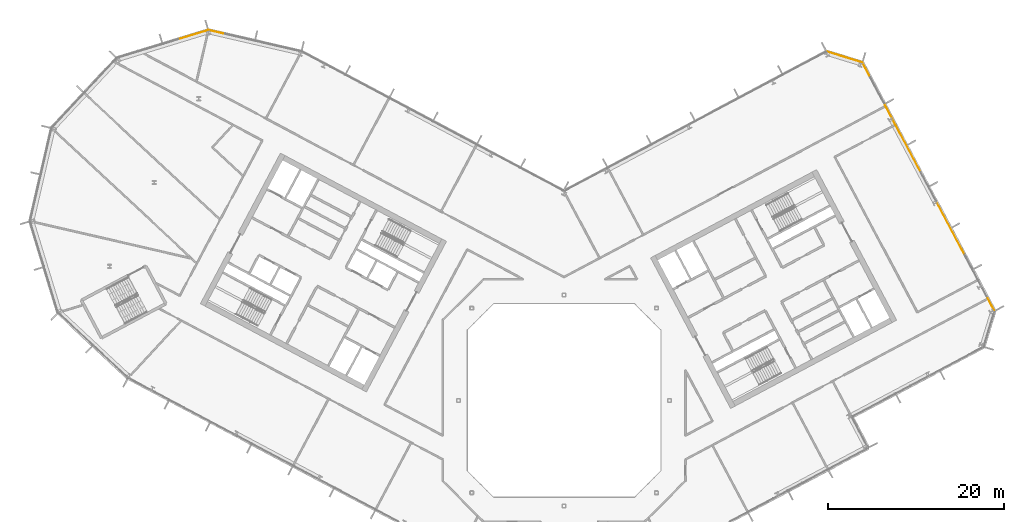
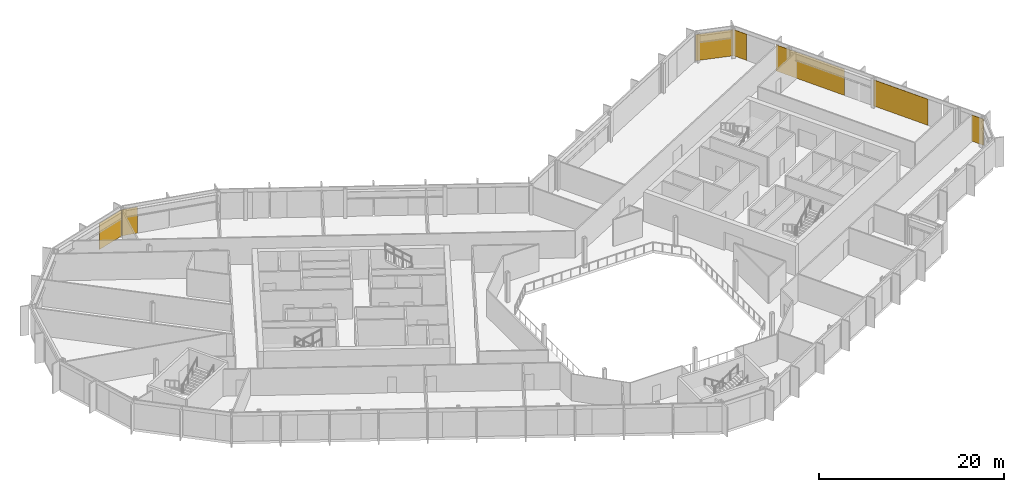
# One storey, part 27 of 27: 7 coverings, 4 elements without a shape of their own.
"""IFC4 building model written with IfcOpenShell, lengths in metres."""

from ifc_helpers import new_model, si_unit, direction, frame, origin, origin_2d, place, context, subcontext, project, spatial, rectangle, extrude, material, layer, layer_set, type_object, element, aggregate, save


model = new_model("IFC4")

# Units and contexts
model_context = context("Model", 3, precision=1e-05, world=origin(), true_north=direction((0.0, 1.0)))
body_context = subcontext(model_context, "Body", "Model", "MODEL_VIEW")
ifc_project = project(units=[si_unit("LENGTHUNIT", "METRE"), si_unit("AREAUNIT", "SQUARE_METRE"), si_unit("VOLUMEUNIT", "CUBIC_METRE"), si_unit("PLANEANGLEUNIT", "RADIAN"), si_unit("MASSUNIT", "GRAM", prefix="KILO")], contexts=[model_context])

# Site, building, storey
site_placement = place(None, origin())
site = spatial("IfcSite", under=ifc_project, at=site_placement, CompositionType="ELEMENT")
building_placement = place(site_placement, origin())
building = spatial("IfcBuilding", under=site, at=building_placement, Name="Cormorant Relay Tower", CompositionType="ELEMENT")
storey_placement = place(building_placement, frame((0.0, 0.0, 201.300048828125)))
storey = spatial("IfcBuildingStorey", under=building, at=storey_placement, Name="L43", CompositionType="ELEMENT", Elevation=201.300048828125)

# Curtain wall, coverings
ifc_material_1 = material(Name="Aluminium 6063-T6 anodised bronze", Category="aluminium")
ifc_layer_1 = layer(ifc_material_1, 0.199951171875)
ifc_layer_set_1 = layer_set([ifc_layer_1], Name="CW1 unitised bronze curtain wall with vertical fins")
curtain_wall_type = type_object("IfcCurtainWallType", Name="CW1 unitised bronze curtain wall with vertical fins", PredefinedType="NOTDEFINED", material=ifc_layer_set_1)
curtain_wall_1_placement = place(storey_placement, origin())
curtain_wall_1 = element("IfcCurtainWall", 1, at=curtain_wall_1_placement, inside=storey, type_object=curtain_wall_type, Name="CW1 curtain wall 6", PredefinedType="NOTDEFINED")
ifc_material_2 = material(Name="Pale bronze anodised aluminium insulated panel", Category="aluminium")
ifc_layer_2 = layer(ifc_material_2, 0.0400390625)
ifc_layer_set_2 = layer_set([ifc_layer_2], Name="CW1 pale bronze insulated panel 40")
covering_type = type_object("IfcCoveringType", Name="CW1 pale bronze insulated panel 40", PredefinedType="CLADDING", material=ifc_layer_set_2)
covering_1_placement = place(storey_placement, frame((48.56494140625, 10.947998046875, 0.0), z_axis=(0.0, 0.0, 1.0), x_axis=(-0.469471562786, 0.882947592859, 0.0)))
covering_1 = element("IfcCovering", 2, at=covering_1_placement, type_object=covering_type, Name="CW1 panel S00", PredefinedType="CLADDING", context=body_context, shape_type="SweptSolid", body=[
    extrude(rectangle(XDim=1.583251953125, YDim=0.0400390625, at=origin_2d()), origin(), (0.0, 0.0, 1.0), 3.449951171875),
])
covering_2_placement = place(storey_placement, frame((43.964111328125, 19.600830078125, 0.0), z_axis=(0.0, 0.0, 1.0), x_axis=(-0.469471562786, 0.882947592859, 0.0)))
covering_2 = element("IfcCovering", 3, at=covering_2_placement, type_object=covering_type, Name="CW1 panel S03", PredefinedType="CLADDING", context=body_context, shape_type="SweptSolid", body=[
    extrude(rectangle(XDim=6.916748046875, YDim=0.0400390625, at=origin_2d()), origin(), (0.0, 0.0, 1.0), 3.449951171875),
])
covering_3_placement = place(storey_placement, frame((38.53369140625, 29.813720703125, 0.0), z_axis=(0.0, 0.0, 1.0), x_axis=(-0.469471562786, 0.882947592859, 0.0)))
covering_3 = element("IfcCovering", 4, at=covering_3_placement, type_object=covering_type, Name="CW1 panel S06", PredefinedType="CLADDING", context=body_context, shape_type="SweptSolid", body=[
    extrude(rectangle(XDim=8.716796875, YDim=0.0400390625, at=origin_2d()), origin(), (0.0, 0.0, 1.0), 3.449951171875),
])
covering_4_placement = place(storey_placement, frame((34.337890625, 37.705078125, 0.0), z_axis=(0.0, 0.0, 1.0), x_axis=(-0.469471562786, 0.882947592859, 0.0)))
covering_4 = element("IfcCovering", 5, at=covering_4_placement, type_object=covering_type, Name="CW1 panel S08", PredefinedType="CLADDING", context=body_context, shape_type="SweptSolid", body=[
    extrude(rectangle(XDim=1.658203125, YDim=0.0400390625, at=origin_2d()), origin(), (0.0, 0.0, 1.0), 3.449951171875),
])
aggregate(curtain_wall_1, [covering_1, covering_2, covering_3, covering_4])

# Curtain wall, covering
curtain_wall_2_placement = place(storey_placement, origin())
curtain_wall_2 = element("IfcCurtainWall", 6, at=curtain_wall_2_placement, inside=storey, type_object=curtain_wall_type, Name="CW1 curtain wall 7", PredefinedType="NOTDEFINED")
covering_5_placement = place(storey_placement, frame((31.872314453125, 39.077880859375, 0.0), z_axis=(0.0, 0.0, 1.0), x_axis=(-0.956304755963, 0.292371704723, 0.0)))
covering_5 = element("IfcCovering", 7, at=covering_5_placement, type_object=covering_type, Name="CW1 panel S00", PredefinedType="CLADDING", context=body_context, shape_type="SweptSolid", body=[
    extrude(rectangle(XDim=4.16748046875, YDim=0.0400390625, at=origin_2d()), origin(), (0.0, 0.0, 1.0), 3.449951171875),
])
aggregate(curtain_wall_2, [covering_5])

curtain_wall_3_placement = place(storey_placement, origin())
curtain_wall_3 = element("IfcCurtainWall", 8, at=curtain_wall_3_placement, inside=storey, type_object=curtain_wall_type, Name="CW1 curtain wall 10", PredefinedType="NOTDEFINED")
covering_6_placement = place(storey_placement, frame((-39.603515625, 41.934814453125, 0.0), z_axis=(0.0, 0.0, 1.0), x_axis=(-0.974370064785, 0.224951054344, 0.0)))
covering_6 = element("IfcCovering", 9, at=covering_6_placement, type_object=covering_type, Name="CW1 panel S02", PredefinedType="CLADDING", context=body_context, shape_type="SweptSolid", body=[
    extrude(rectangle(XDim=1.76025390625, YDim=0.0400390625, at=origin_2d()), origin(), (0.0, 0.0, 1.0), 3.449951171875),
])
aggregate(curtain_wall_3, [covering_6])

curtain_wall_4_placement = place(storey_placement, origin())
curtain_wall_4 = element("IfcCurtainWall", 10, at=curtain_wall_4_placement, inside=storey, type_object=curtain_wall_type, Name="CW1 curtain wall 11", PredefinedType="NOTDEFINED")
covering_7_placement = place(storey_placement, frame((-42.209716796875, 41.60107421875, 0.0), z_axis=(0.0, 0.0, 1.0), x_axis=(-0.956304755963, -0.292371704723, 0.0)))
covering_7 = element("IfcCovering", 11, at=covering_7_placement, type_object=covering_type, Name="CW1 panel S00", PredefinedType="CLADDING", context=body_context, shape_type="SweptSolid", body=[
    extrude(rectangle(XDim=3.485107421875, YDim=0.0400390625, at=origin_2d()), origin(), (0.0, 0.0, 1.0), 3.449951171875),
])
aggregate(curtain_wall_4, [covering_7])

save(model, "model.ifc")
